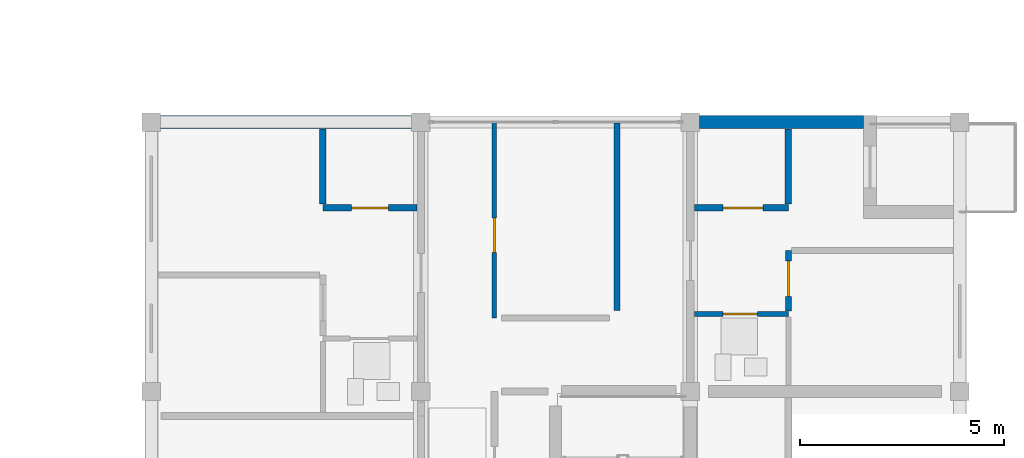
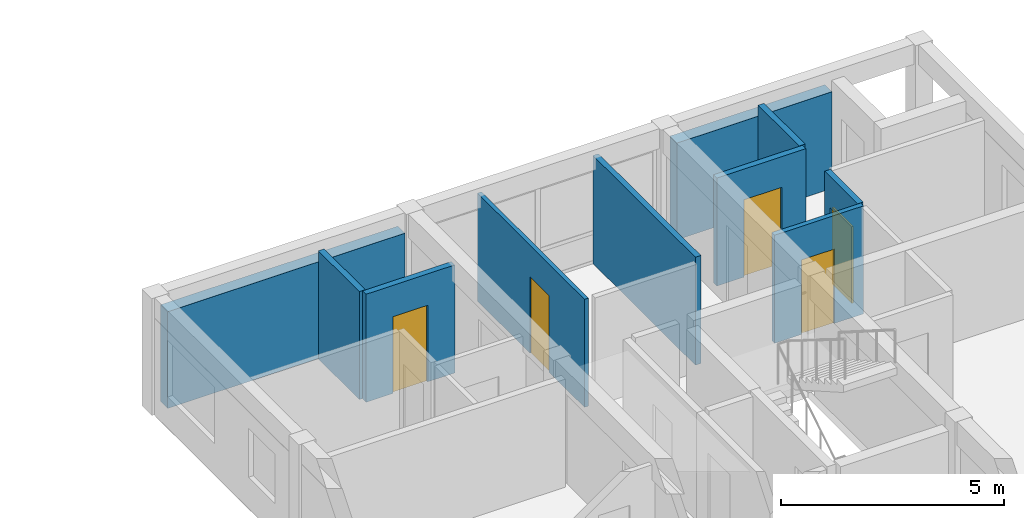
# One storey, part 33 of 53: 10 walls, 5 doors, 5 openings.
"""IFC4 building model written with IfcOpenShell, lengths in metres."""

from ifc_helpers import new_model, si_unit, direction, frame, frame_2d, origin, place, context, subcontext, project, spatial, rectangle, extrude, material, layer, layer_set, type_object, element, fill, save


model = new_model("IFC4")

# Units and contexts
model_context = context("Model", 3, precision=1e-05, world=origin(), true_north=direction((0.0, 1.0)))
body_context = subcontext(model_context, "Body", "Model", "MODEL_VIEW")
ifc_project = project(units=[si_unit("LENGTHUNIT", "METRE"), si_unit("AREAUNIT", "SQUARE_METRE"), si_unit("VOLUMEUNIT", "CUBIC_METRE"), si_unit("PLANEANGLEUNIT", "RADIAN"), si_unit("MASSUNIT", "GRAM", prefix="KILO")], contexts=[model_context])

# Site, building, storey
site_placement = place(None, origin())
site = spatial("IfcSite", under=ifc_project, at=site_placement, CompositionType="ELEMENT")
building_placement = place(site_placement, origin())
building = spatial("IfcBuilding", under=site, at=building_placement, Name="Kernevlak Ridge Housing Community", CompositionType="ELEMENT")
storey_placement = place(building_placement, frame((0.0, 0.0, 18.0)))
storey = spatial("IfcBuildingStorey", under=building, at=storey_placement, Name="L05", CompositionType="ELEMENT", Elevation=18.0)

# Walls
ifc_material_1 = material(Name="Concrete block masonry M10", Category="masonry")
ifc_layer_1 = layer(ifc_material_1, 0.320068359375, Name="Concrete block masonry M10")
ifc_layer_set_1 = layer_set([ifc_layer_1], Name="Concrete block masonry M10")
wall_type_1 = type_object("IfcWallType", Name="EW-02", PredefinedType="STANDARD", material=ifc_layer_set_1)
wall_1_placement = place(storey_placement, frame((126.22509765625, 42.0, 0.0), z_axis=(0.0, 0.0, 1.0), x_axis=(1.0, 0.0, 0.0)))
element("IfcWall", 1, at=wall_1_placement, inside=storey, type_object=wall_type_1, Name="Exterior wall EW-02 L05 612", PredefinedType="STANDARD", context=body_context, shape_type="SweptSolid", body=[
    extrude(rectangle(XDim=6.14990234375, YDim=0.320068359375, at=frame_2d((3.074951171875, 0.0))), origin(), (0.0, 0.0, 1.0), 2.64990234375),
])
wall_2_placement = place(storey_placement, frame((139.425048828125, 42.0, 0.0), z_axis=(0.0, 0.0, 1.0), x_axis=(1.0, 0.0, 0.0)))
element("IfcWall", 2, at=wall_2_placement, inside=storey, type_object=wall_type_1, Name="Exterior wall EW-02 L05 613", PredefinedType="STANDARD", context=body_context, shape_type="SweptSolid", body=[
    extrude(rectangle(XDim=4.014892578125, YDim=0.320068359375, at=frame_2d((2.00732421875, 0.0))), origin(), (0.0, 0.0, 1.0), 2.64990234375),
])
ifc_layer_2 = layer(ifc_material_1, 0.14501953125, Name="Concrete block masonry M10")
ifc_layer_set_2 = layer_set([ifc_layer_2], Name="Concrete block masonry M10")
wall_type_2 = type_object("IfcWallType", Name="PW-03", PredefinedType="PARTITIONING", material=ifc_layer_set_2)
wall_3_placement = place(storey_placement, frame((137.39990234375, 37.3798828125, 0.0), z_axis=(0.0, 0.0, 1.0), x_axis=(0.0, 1.0, 0.0)))
element("IfcWall", 3, at=wall_3_placement, inside=storey, type_object=wall_type_2, Name="Interior wall PW-03 WAL-INT-L05-2447", PredefinedType="PARTITIONING", context=body_context, shape_type="SweptSolid", body=[
    extrude(rectangle(XDim=4.60009765625, YDim=0.14501953125, at=frame_2d((2.300048828125, 0.0))), origin(), (0.0, 0.0, 1.0), 2.9599609375),
])

# Wall, opening, door
wall_4_placement = place(storey_placement, frame((141.60009765625, 37.37255859375, 0.0), z_axis=(0.0, 0.0, 1.0), x_axis=(0.0, 1.0, 0.0)))
wall_4 = element("IfcWall", 4, at=wall_4_placement, inside=storey, type_object=wall_type_2, Name="Interior wall PW-03 WAL-INT-L05-2487", PredefinedType="PARTITIONING", context=body_context, shape_type="SweptSolid", body=[
    extrude(rectangle(XDim=1.4775390625, YDim=0.14501953125, at=frame_2d((0.73876953125, 0.0))), origin(), (0.0, 0.0, 1.0), 2.9599609375),
])
opening_1_placement = place(wall_4_placement, frame((0.35009765625, 0.0, 0.0)))
opening_1 = element("IfcOpeningElement", 5, at=opening_1_placement, cuts=wall_4, Name="Opening E261", PredefinedType="OPENING", context=body_context, shape_type="SweptSolid", body=[
    extrude(rectangle(XDim=0.8798828125, YDim=2.10009765625, at=frame_2d((0.43994140625, 1.050048828125))), frame((0.0, 0.08251953125, 0.0), z_axis=(0.0, -1.0, 0.0), x_axis=(1.0, 0.0, 0.0)), (0.0, 0.0, 1.0), 0.1650390625),
])
ifc_material_2 = material(Name="Hardwood timber leaf", Category="wood")
door_type_1 = type_object("IfcDoorType", Name="DT-25", OperationType="NOTDEFINED", PredefinedType="DOOR", material=ifc_material_2)
door_1_placement = place(opening_1_placement, origin())
door_1 = element("IfcDoor", 6, at=door_1_placement, inside=storey, type_object=door_type_1, Name="Flat C0523 bedroom door E261", OperationType="SINGLE_SWING_RIGHT", OverallHeight=2.10009765625, OverallWidth=0.8798828125, PredefinedType="DOOR", context=body_context, shape_type="SweptSolid", body=[
    extrude(rectangle(XDim=0.8798828125, YDim=2.10009765625, at=frame_2d((0.43994140625, 1.050048828125))), frame((0.0, 0.02490234375, 0.0), z_axis=(0.0, -1.0, 0.0), x_axis=(1.0, 0.0, 0.0)), (0.0, 0.0, 1.0), 0.050048828125),
])
fill(opening_1, door_1)

ifc_material_3 = material(Name="Gypsum plasterboard EN 520", Category="gypsum")
ifc_layer_3 = layer(ifc_material_3, 0.125, Name="Gypsum plasterboard EN 520")
ifc_layer_set_3 = layer_set([ifc_layer_3], Name="Gypsum plasterboard EN 520")
wall_type_3 = type_object("IfcWallType", Name="PW-04", PredefinedType="PARTITIONING", material=ifc_layer_set_3)
wall_5_placement = place(storey_placement, frame((139.297607421875, 37.300048828125, 0.0), z_axis=(0.0, 0.0, 1.0), x_axis=(1.0, 0.0, 0.0)))
wall_5 = element("IfcWall", 7, at=wall_5_placement, inside=storey, type_object=wall_type_3, Name="Interior wall PW-04 WAL-INT-L05-2483", PredefinedType="PARTITIONING", context=body_context, shape_type="SweptSolid", body=[
    extrude(rectangle(XDim=2.302490234375, YDim=0.125, at=frame_2d((1.1513671875, 0.0))), origin(), (0.0, 0.0, 1.0), 2.9599609375),
])
opening_2_placement = place(wall_5_placement, frame((0.699951171875, 0.0, 0.0)))
opening_2 = element("IfcOpeningElement", 8, at=opening_2_placement, cuts=wall_5, Name="Opening E259", PredefinedType="OPENING", context=body_context, shape_type="SweptSolid", body=[
    extrude(rectangle(XDim=0.85009765625, YDim=2.0400390625, at=frame_2d((0.425048828125, 1.02001953125))), frame((0.0, 0.072509765625, 0.0), z_axis=(0.0, -1.0, 0.0), x_axis=(1.0, 0.0, 0.0)), (0.0, 0.0, 1.0), 0.14501953125),
])
ifc_material_4 = material(Name="Hardwood timber moisture-resistant leaf", Category="wood")
door_type_2 = type_object("IfcDoorType", Name="DT-04", OperationType="NOTDEFINED", PredefinedType="DOOR", material=ifc_material_4)
door_2_placement = place(opening_2_placement, origin())
door_2 = element("IfcDoor", 9, at=door_2_placement, inside=storey, type_object=door_type_2, Name="Flat C0523 bathroom door E259", OperationType="SINGLE_SWING_RIGHT", OverallHeight=2.0400390625, OverallWidth=0.85009765625, PredefinedType="DOOR", context=body_context, shape_type="SweptSolid", body=[
    extrude(rectangle(XDim=0.85009765625, YDim=2.0400390625, at=frame_2d((0.425048828125, 1.02001953125))), frame((0.0, 0.02490234375, 0.0), z_axis=(0.0, -1.0, 0.0), x_axis=(1.0, 0.0, 0.0)), (0.0, 0.0, 1.0), 0.050048828125),
])
fill(opening_2, door_2)

ifc_layer_4 = layer(ifc_material_3, 0.155029296875, Name="Gypsum plasterboard EN 520")
ifc_layer_set_4 = layer_set([ifc_layer_4], Name="Gypsum plasterboard EN 520")
wall_type_4 = type_object("IfcWallType", Name="PW-05", PredefinedType="PARTITIONING", material=ifc_layer_set_4)
wall_6_placement = place(storey_placement, frame((132.50244140625, 39.89990234375, 0.0), z_axis=(0.0, 0.0, 1.0), x_axis=(-1.0, 0.0, 0.0)))
wall_6 = element("IfcWall", 10, at=wall_6_placement, inside=storey, type_object=wall_type_4, Name="Interior wall PW-05 WAL-INT-L05-2465", PredefinedType="PARTITIONING", context=body_context, shape_type="SweptSolid", body=[
    extrude(rectangle(XDim=2.302490234375, YDim=0.155029296875, at=frame_2d((1.1513671875, 0.0))), origin(), (0.0, 0.0, 1.0), 2.9599609375),
])
opening_3_placement = place(wall_6_placement, frame((0.699951171875, 0.0, 0.0)))
opening_3 = element("IfcOpeningElement", 11, at=opening_3_placement, cuts=wall_6, Name="Opening E249", PredefinedType="OPENING", context=body_context, shape_type="SweptSolid", body=[
    extrude(rectangle(XDim=0.89990234375, YDim=2.10009765625, at=frame_2d((0.449951171875, 1.050048828125))), frame((0.0, 0.08740234375, 0.0), z_axis=(0.0, -1.0, 0.0), x_axis=(1.0, 0.0, 0.0)), (0.0, 0.0, 1.0), 0.175048828125),
])
door_type_3 = type_object("IfcDoorType", Name="DT-21", OperationType="NOTDEFINED", PredefinedType="DOOR", material=ifc_material_2)
door_3_placement = place(opening_3_placement, origin())
door_3 = element("IfcDoor", 12, at=door_3_placement, inside=storey, type_object=door_type_3, Name="Flat C0513 kitchen door E249", OperationType="SINGLE_SWING_RIGHT", OverallHeight=2.10009765625, OverallWidth=0.89990234375, PredefinedType="DOOR", context=body_context, shape_type="SweptSolid", body=[
    extrude(rectangle(XDim=0.89990234375, YDim=2.10009765625, at=frame_2d((0.449951171875, 1.050048828125))), frame((0.0, 0.02490234375, 0.0), z_axis=(0.0, -1.0, 0.0), x_axis=(1.0, 0.0, 0.0)), (0.0, 0.0, 1.0), 0.050048828125),
])
fill(opening_3, door_3)

# Wall
wall_7_placement = place(storey_placement, frame((130.199951171875, 39.987548828125, 0.0), z_axis=(0.0, 0.0, 1.0), x_axis=(0.0, 1.0, 0.0)))
element("IfcWall", 13, at=wall_7_placement, inside=storey, type_object=wall_type_4, Name="Interior wall PW-05 WAL-INT-L05-2466", PredefinedType="PARTITIONING", context=body_context, shape_type="SweptSolid", body=[
    extrude(rectangle(XDim=1.842529296875, YDim=0.155029296875, at=frame_2d((0.92138671875, 0.0))), origin(), (0.0, 0.0, 1.0), 2.9599609375),
])

# Wall, opening, door
wall_8_placement = place(storey_placement, frame((139.297607421875, 39.89990234375, 0.0), z_axis=(0.0, 0.0, 1.0), x_axis=(1.0, 0.0, 0.0)))
wall_8 = element("IfcWall", 14, at=wall_8_placement, inside=storey, type_object=wall_type_4, Name="Interior wall PW-05 WAL-INT-L05-2485", PredefinedType="PARTITIONING", context=body_context, shape_type="SweptSolid", body=[
    extrude(rectangle(XDim=2.302490234375, YDim=0.155029296875, at=frame_2d((1.1513671875, 0.0))), origin(), (0.0, 0.0, 1.0), 2.9599609375),
])
opening_4_placement = place(wall_8_placement, frame((0.699951171875, 0.0, 0.0)))
opening_4 = element("IfcOpeningElement", 15, at=opening_4_placement, cuts=wall_8, Name="Opening E260", PredefinedType="OPENING", context=body_context, shape_type="SweptSolid", body=[
    extrude(rectangle(XDim=0.97998046875, YDim=2.1201171875, at=frame_2d((0.489990234375, 1.06005859375))), frame((0.0, 0.08740234375, 0.0), z_axis=(0.0, -1.0, 0.0), x_axis=(1.0, 0.0, 0.0)), (0.0, 0.0, 1.0), 0.175048828125),
])
door_type_4 = type_object("IfcDoorType", Name="DT-24", OperationType="NOTDEFINED", PredefinedType="DOOR", material=ifc_material_2)
door_4_placement = place(opening_4_placement, origin())
door_4 = element("IfcDoor", 16, at=door_4_placement, inside=storey, type_object=door_type_4, Name="Flat C0523 kitchen door E260", OperationType="SINGLE_SWING_LEFT", OverallHeight=2.1201171875, OverallWidth=0.97998046875, PredefinedType="DOOR", context=body_context, shape_type="SweptSolid", body=[
    extrude(rectangle(XDim=0.97998046875, YDim=2.1201171875, at=frame_2d((0.489990234375, 1.06005859375))), frame((0.0, 0.02490234375, 0.0), z_axis=(0.0, -1.0, 0.0), x_axis=(1.0, 0.0, 0.0)), (0.0, 0.0, 1.0), 0.050048828125),
])
fill(opening_4, door_4)

# Wall
wall_9_placement = place(storey_placement, frame((141.60009765625, 39.987548828125, 0.0), z_axis=(0.0, 0.0, 1.0), x_axis=(0.0, 1.0, 0.0)))
element("IfcWall", 17, at=wall_9_placement, inside=storey, type_object=wall_type_4, Name="Interior wall PW-05 WAL-INT-L05-2486", PredefinedType="PARTITIONING", context=body_context, shape_type="SweptSolid", body=[
    extrude(rectangle(XDim=1.842529296875, YDim=0.155029296875, at=frame_2d((0.92138671875, 0.0))), origin(), (0.0, 0.0, 1.0), 2.9599609375),
])

# Wall, opening, door
ifc_layer_5 = layer(ifc_material_3, 0.10498046875, Name="Gypsum plasterboard EN 520")
ifc_layer_set_5 = layer_set([ifc_layer_5], Name="Gypsum plasterboard EN 520")
wall_type_5 = type_object("IfcWallType", Name="PW-06", PredefinedType="PARTITIONING", material=ifc_layer_set_5)
wall_10_placement = place(storey_placement, frame((134.39990234375, 37.199951171875, 0.0), z_axis=(0.0, 0.0, 1.0), x_axis=(0.0, 1.0, 0.0)))
wall_10 = element("IfcWall", 18, at=wall_10_placement, inside=storey, type_object=wall_type_5, Name="Interior wall PW-06 WAL-INT-L05-2446", PredefinedType="PARTITIONING", context=body_context, shape_type="SweptSolid", body=[
    extrude(rectangle(XDim=4.800048828125, YDim=0.10498046875, at=frame_2d((2.39990234375, 0.0))), origin(), (0.0, 0.0, 1.0), 2.9599609375),
])
opening_5_placement = place(wall_10_placement, frame((1.60009765625, 0.0, 0.0)))
opening_5 = element("IfcOpeningElement", 19, at=opening_5_placement, cuts=wall_10, Name="Opening E239", PredefinedType="OPENING", context=body_context, shape_type="SweptSolid", body=[
    extrude(rectangle(XDim=0.85009765625, YDim=2.10009765625, at=frame_2d((0.425048828125, 1.050048828125))), frame((0.0, 0.0625, 0.0), z_axis=(0.0, -1.0, 0.0), x_axis=(1.0, 0.0, 0.0)), (0.0, 0.0, 1.0), 0.125),
])
door_type_5 = type_object("IfcDoorType", Name="DT-03", OperationType="NOTDEFINED", PredefinedType="DOOR", material=ifc_material_2)
door_5_placement = place(opening_5_placement, origin())
door_5 = element("IfcDoor", 20, at=door_5_placement, inside=storey, type_object=door_type_5, Name="Block C Laundry room door E239", OperationType="SINGLE_SWING_RIGHT", OverallHeight=2.10009765625, OverallWidth=0.85009765625, PredefinedType="DOOR", context=body_context, shape_type="SweptSolid", body=[
    extrude(rectangle(XDim=0.85009765625, YDim=2.10009765625, at=frame_2d((0.425048828125, 1.050048828125))), frame((0.0, 0.02490234375, 0.0), z_axis=(0.0, -1.0, 0.0), x_axis=(1.0, 0.0, 0.0)), (0.0, 0.0, 1.0), 0.050048828125),
])
fill(opening_5, door_5)

save(model, "model.ifc")
